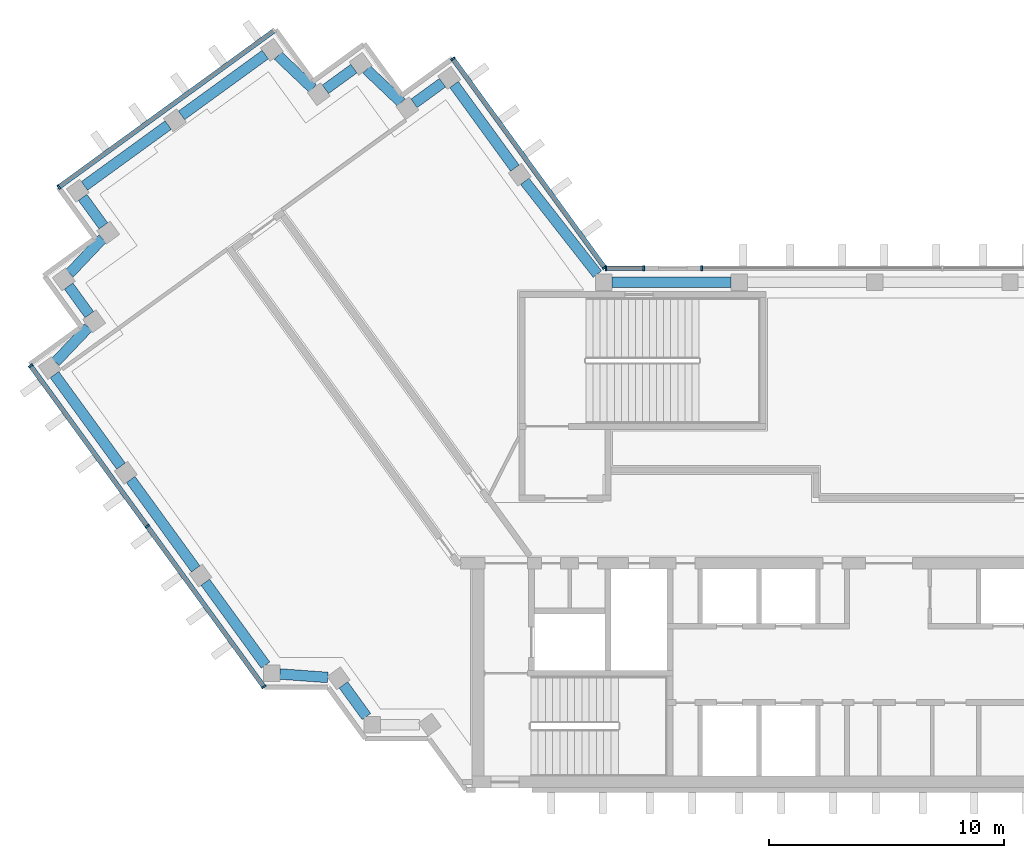
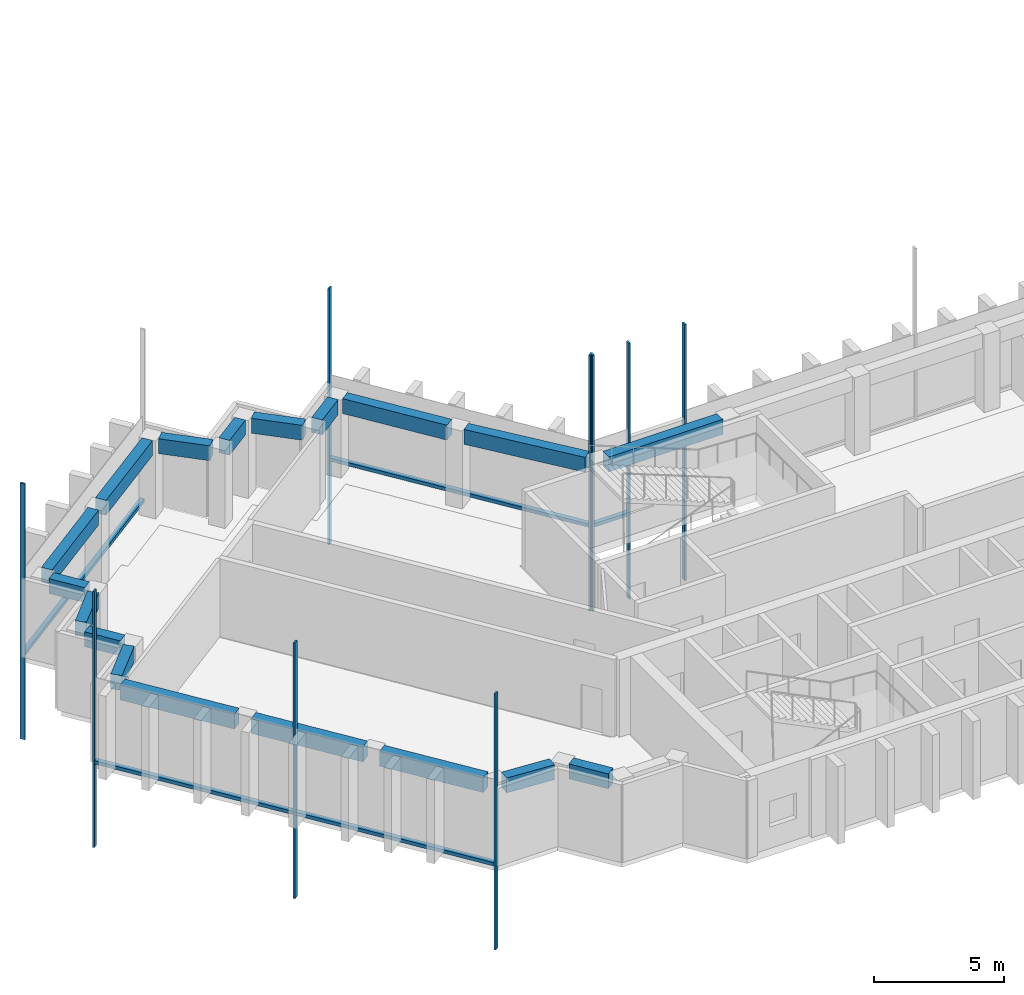
# One storey, part 2 of 13: 18 beams, 14 members, 5 elements without a shape of their own.
"""IFC4 building model written with IfcOpenShell, lengths in metres."""

from ifc_helpers import new_model, si_unit, direction, frame, origin, origin_2d, place, context, subcontext, project, spatial, rectangle, extrude, material, material_profile, profile_set, type_object, element, aggregate, save


model = new_model("IFC4")

# Units and contexts
model_context = context("Model", 3, precision=1e-05, world=origin(), true_north=direction((0.0, 1.0)))
body_context = subcontext(model_context, "Body", "Model", "MODEL_VIEW")
ifc_project = project(units=[si_unit("LENGTHUNIT", "METRE"), si_unit("AREAUNIT", "SQUARE_METRE"), si_unit("VOLUMEUNIT", "CUBIC_METRE"), si_unit("PLANEANGLEUNIT", "RADIAN"), si_unit("MASSUNIT", "GRAM", prefix="KILO")], contexts=[model_context])

# Site, building, storey
site_placement = place(None, origin())
site = spatial("IfcSite", under=ifc_project, at=site_placement, CompositionType="ELEMENT")
building_placement = place(site_placement, origin())
building = spatial("IfcBuilding", under=site, at=building_placement, Name="Quipu Civic Tower", CompositionType="ELEMENT")
storey_placement = place(building_placement, frame((0.0, 0.0, 347.0)))
storey = spatial("IfcBuildingStorey", under=building, at=storey_placement, Name="L81", CompositionType="ELEMENT", Elevation=347.0)

# Curtain wall, members
ifc_material_1 = material(Name="Insulated glass unit", Category="glass")
curtain_wall_type = type_object("IfcCurtainWallType", Name="Office curtain wall CW1", PredefinedType="NOTDEFINED", material=ifc_material_1)
curtain_wall_1_placement = place(storey_placement, origin())
curtain_wall_1 = element("IfcCurtainWall", 1, at=curtain_wall_1_placement, inside=storey, type_object=curtain_wall_type, Name="Office curtain wall CW1 L80 run 1", PredefinedType="NOTDEFINED")
ifc_material_2 = material(Name="Anodised aluminium", Category="aluminium")
ifc_material_profile_1 = material_profile(ifc_material_2, rectangle(XDim=0.199951171875, YDim=0.080078125, at=origin_2d()), Name="RECT 200x80")
ifc_profile_set_1 = profile_set([ifc_material_profile_1], Name="Anodised aluminium")
member_type_1 = type_object("IfcMemberType", Name="Mullion CW1", PredefinedType="MULLION", material=ifc_profile_set_1)
member_1_placement = place(storey_placement, frame((-14.36767578125, 11.13232421875, -3.919921875), z_axis=(0.0, 0.0, 1.0), x_axis=(-0.809015163947, -0.587787771652, 0.0)))
member_1 = element("IfcMember", 2, at=member_1_placement, type_object=member_type_1, Name="CW1 mullion 1", PredefinedType="MULLION", context=body_context, shape_type="SweptSolid", body=[
    extrude(rectangle(XDim=0.199951171875, YDim=0.080078125, at=origin_2d()), origin(), (0.0, 0.0, 1.0), 12.0),
])
member_2_placement = place(storey_placement, frame((-20.8125, 20.002685546875, -3.919921875), z_axis=(0.0, 0.0, 1.0), x_axis=(-0.809015163947, -0.587787771652, 0.0)))
member_2 = element("IfcMember", 3, at=member_2_placement, type_object=member_type_1, Name="CW1 mullion 2", PredefinedType="MULLION", context=body_context, shape_type="SweptSolid", body=[
    extrude(rectangle(XDim=0.199951171875, YDim=0.080078125, at=origin_2d()), origin(), (0.0, 0.0, 1.0), 12.0),
])

# Curtain wall, member
curtain_wall_2_placement = place(storey_placement, origin())
curtain_wall_2 = element("IfcCurtainWall", 4, at=curtain_wall_2_placement, inside=storey, type_object=curtain_wall_type, Name="Office curtain wall CW1 L80 run 6", PredefinedType="NOTDEFINED")
member_3_placement = place(storey_placement, frame((-37.569091796875, 14.552490234375, -3.919921875), z_axis=(0.0, 0.0, 1.0), x_axis=(0.587787753918, -0.809015176832, 0.0)))
member_3 = element("IfcMember", 5, at=member_3_placement, type_object=member_type_1, Name="CW1 mullion 2", PredefinedType="MULLION", context=body_context, shape_type="SweptSolid", body=[
    extrude(rectangle(XDim=0.199951171875, YDim=0.080078125, at=origin_2d()), origin(), (0.0, 0.0, 1.0), 12.0),
])

# Curtain wall, members
curtain_wall_3_placement = place(storey_placement, origin())
curtain_wall_3 = element("IfcCurtainWall", 6, at=curtain_wall_3_placement, inside=storey, type_object=curtain_wall_type, Name="Office curtain wall CW1 L80 run 11", PredefinedType="NOTDEFINED")
member_4_placement = place(storey_placement, frame((-38.772705078125, 6.953857421875, -3.919921875), z_axis=(0.0, 0.0, 1.0), x_axis=(0.809016278475, 0.587786237643, 0.0)))
member_4 = element("IfcMember", 7, at=member_4_placement, type_object=member_type_1, Name="CW1 mullion 1", PredefinedType="MULLION", context=body_context, shape_type="SweptSolid", body=[
    extrude(rectangle(XDim=0.199951171875, YDim=0.080078125, at=origin_2d()), origin(), (0.0, 0.0, 1.0), 12.0),
])
member_5_placement = place(storey_placement, frame((-33.81298828125, 0.12744140625, -3.919921875), z_axis=(0.0, 0.0, 1.0), x_axis=(0.809016278475, 0.587786237643, 0.0)))
member_5 = element("IfcMember", 8, at=member_5_placement, type_object=member_type_1, Name="CW1 mullion 2", PredefinedType="MULLION", context=body_context, shape_type="SweptSolid", body=[
    extrude(rectangle(XDim=0.199951171875, YDim=0.080078125, at=origin_2d()), origin(), (0.0, 0.0, 1.0), 12.0),
])
member_6_placement = place(storey_placement, frame((-28.853271484375, -6.698974609375, -3.919921875), z_axis=(0.0, 0.0, 1.0), x_axis=(0.809016278475, 0.587786237643, 0.0)))
member_6 = element("IfcMember", 9, at=member_6_placement, type_object=member_type_1, Name="CW1 mullion 3", PredefinedType="MULLION", context=body_context, shape_type="SweptSolid", body=[
    extrude(rectangle(XDim=0.199951171875, YDim=0.080078125, at=origin_2d()), origin(), (0.0, 0.0, 1.0), 12.0),
])

# Curtain wall, member
curtain_wall_4_placement = place(storey_placement, origin())
curtain_wall_4 = element("IfcCurtainWall", 10, at=curtain_wall_4_placement, inside=storey, type_object=curtain_wall_type, Name="Office curtain wall CW1 L80 run 29", PredefinedType="NOTDEFINED")
member_7_placement = place(storey_placement, frame((-10.223388671875, 11.10009765625, -3.919921875), z_axis=(0.0, 0.0, 1.0), x_axis=(0.0, -1.0, 0.0)))
member_7 = element("IfcMember", 11, at=member_7_placement, type_object=member_type_1, Name="CW1 mullion 3", PredefinedType="MULLION", context=body_context, shape_type="SweptSolid", body=[
    extrude(rectangle(XDim=0.199951171875, YDim=0.080078125, at=origin_2d()), origin(), (0.0, 0.0, 1.0), 12.0),
])
aggregate(curtain_wall_4, [member_7])

# Curtain wall, members
curtain_wall_5_placement = place(storey_placement, origin())
curtain_wall_5 = element("IfcCurtainWall", 12, at=curtain_wall_5_placement, inside=storey, type_object=curtain_wall_type, Name="Office curtain wall CW1 L80 run 31", PredefinedType="NOTDEFINED")
member_8_placement = place(storey_placement, frame((-12.695068359375, 11.10009765625, -3.919921875), z_axis=(0.0, 0.0, 1.0), x_axis=(0.0, -1.0, 0.0)))
member_8 = element("IfcMember", 13, at=member_8_placement, type_object=member_type_1, Name="CW1 mullion 1", PredefinedType="MULLION", context=body_context, shape_type="SweptSolid", body=[
    extrude(rectangle(XDim=0.199951171875, YDim=0.080078125, at=origin_2d()), origin(), (0.0, 0.0, 1.0), 12.0),
])
member_9_placement = place(storey_placement, frame((-14.30419921875, 11.10009765625, -3.919921875), z_axis=(0.0, 0.0, 1.0), x_axis=(0.0, -1.0, 0.0)))
member_9 = element("IfcMember", 14, at=member_9_placement, type_object=member_type_1, Name="CW1 mullion 2", PredefinedType="MULLION", context=body_context, shape_type="SweptSolid", body=[
    extrude(rectangle(XDim=0.199951171875, YDim=0.080078125, at=origin_2d()), origin(), (0.0, 0.0, 1.0), 12.0),
])

# Beams
ifc_material_3 = material(Name="Concrete C50/60", Category="concrete")
ifc_material_profile_2 = material_profile(ifc_material_3, rectangle(XDim=0.449951171875, YDim=0.699951171875, at=origin_2d()), Name="RC450x700")
ifc_profile_set_2 = profile_set([ifc_material_profile_2], Name="Concrete C50/60")
beam_type = type_object("IfcBeamType", Name="Spandrel beam RC 450x700 C50/60", PredefinedType="SPANDREL", material=ifc_profile_set_2)
beam_1_placement = place(storey_placement, frame((-18.179443359375, 15.358154296875, 3.300048828125), z_axis=(-0.588201428764, 0.808714460857, 0.0), x_axis=(-0.808714460857, -0.588201428764, 0.0)))
element("IfcBeam", 15, at=beam_1_placement, inside=storey, type_object=beam_type, Name="Spandrel beam L81 W-IN-01 to T-Wi.0-W22", PredefinedType="SPANDREL", context=body_context, shape_type="SweptSolid", body=[
    extrude(rectangle(XDim=0.449951171875, YDim=0.699951171875, at=origin_2d()), origin(), (0.0, 0.0, 1.0), 4.394287109375),
])
beam_2_placement = place(storey_placement, frame((-21.25341796875, 18.989501953125, 3.300048828125), z_axis=(-0.809461336076, -0.587173181776, 0.0), x_axis=(0.587173181776, -0.809461336076, 0.0)))
element("IfcBeam", 16, at=beam_2_placement, inside=storey, type_object=beam_type, Name="Spandrel beam L81 T-Wi.0-W22 to T-Wi.1-W22", PredefinedType="SPANDREL", context=body_context, shape_type="SweptSolid", body=[
    extrude(rectangle(XDim=0.449951171875, YDim=0.699951171875, at=origin_2d()), origin(), (0.0, 0.0, 1.0), 1.498046875),
])
beam_3_placement = place(storey_placement, frame((-23.00732421875, 18.1494140625, 3.300048828125), z_axis=(-0.72511931772, 0.6886232461, 0.0), x_axis=(-0.6886232461, -0.72511931772, 0.0)))
element("IfcBeam", 17, at=beam_3_placement, inside=storey, type_object=beam_type, Name="Spandrel beam L81 T-Wi.1-W22 to T-Wi.2-W22", PredefinedType="SPANDREL", context=body_context, shape_type="SweptSolid", body=[
    extrude(rectangle(XDim=0.449951171875, YDim=0.699951171875, at=origin_2d()), origin(), (0.0, 0.0, 1.0), 2.03369140625),
])
beam_4_placement = place(storey_placement, frame((-25.02294921875, 19.589111328125, 3.300048828125), z_axis=(-0.808644589435, -0.588297482553, 0.0), x_axis=(0.588297482553, -0.808644589435, 0.0)))
element("IfcBeam", 18, at=beam_4_placement, inside=storey, type_object=beam_type, Name="Spandrel beam L81 T-Wi.2-W22 to T-Wi.3-W22", PredefinedType="SPANDREL", context=body_context, shape_type="SweptSolid", body=[
    extrude(rectangle(XDim=0.449951171875, YDim=0.699951171875, at=origin_2d()), origin(), (0.0, 0.0, 1.0), 1.500244140625),
])
beam_5_placement = place(storey_placement, frame((-26.777099609375, 18.74560546875, 3.300048828125), z_axis=(-0.725359138958, 0.688370626574, 0.0), x_axis=(-0.688370626574, -0.725359138958, 0.0)))
element("IfcBeam", 19, at=beam_5_placement, inside=storey, type_object=beam_type, Name="Spandrel beam L81 T-Wi.3-W22 to T-Wi.4-W22", PredefinedType="SPANDREL", context=body_context, shape_type="SweptSolid", body=[
    extrude(rectangle(XDim=0.449951171875, YDim=0.699951171875, at=origin_2d()), origin(), (0.0, 0.0, 1.0), 2.032958984375),
])
beam_6_placement = place(storey_placement, frame((-28.793212890625, 20.184326171875, 3.300048828125), z_axis=(-0.809146152767, -0.587607439931, 0.0), x_axis=(0.587607439931, -0.809146152767, 0.0)))
element("IfcBeam", 20, at=beam_6_placement, inside=storey, type_object=beam_type, Name="Spandrel beam L81 T-Wi.4-W22 to TIP-W-01-W22", PredefinedType="SPANDREL", context=body_context, shape_type="SweptSolid", body=[
    extrude(rectangle(XDim=0.449951171875, YDim=0.699951171875, at=origin_2d()), origin(), (0.0, 0.0, 1.0), 4.400390625),
])
beam_7_placement = place(storey_placement, frame((-32.920166015625, 17.187255859375, 3.300048828125), z_axis=(-0.809117270763, -0.587647208921, 0.0), x_axis=(0.587647208921, -0.809117270763, 0.0)))
element("IfcBeam", 21, at=beam_7_placement, inside=storey, type_object=beam_type, Name="Spandrel beam L81 TIP-W-01-W22 to T-Wo.0-W22", PredefinedType="SPANDREL", context=body_context, shape_type="SweptSolid", body=[
    extrude(rectangle(XDim=0.449951171875, YDim=0.699951171875, at=origin_2d()), origin(), (0.0, 0.0, 1.0), 4.40185546875),
])
beam_8_placement = place(storey_placement, frame((-36.55908203125, 14.112060546875, 3.300048828125), z_axis=(0.588345920092, -0.808609348394, 0.0), x_axis=(0.808609348394, 0.588345920092, 0.0)))
element("IfcBeam", 22, at=beam_8_placement, inside=storey, type_object=beam_type, Name="Spandrel beam L81 T-Wo.0-W22 to T-Wo.1-W22", PredefinedType="SPANDREL", context=body_context, shape_type="SweptSolid", body=[
    extrude(rectangle(XDim=0.449951171875, YDim=0.699951171875, at=origin_2d()), origin(), (0.0, 0.0, 1.0), 1.499755859375),
])
beam_9_placement = place(storey_placement, frame((-35.7158203125, 12.358154296875, 3.300048828125), z_axis=(-0.688247466856, -0.725475998477, 0.0), x_axis=(0.725475998477, -0.688247466856, 0.0)))
element("IfcBeam", 23, at=beam_9_placement, inside=storey, type_object=beam_type, Name="Spandrel beam L81 T-Wo.1-W22 to T-Wo.2-W22", PredefinedType="SPANDREL", context=body_context, shape_type="SweptSolid", body=[
    extrude(rectangle(XDim=0.449951171875, YDim=0.699951171875, at=origin_2d()), origin(), (0.0, 0.0, 1.0), 2.032958984375),
])
beam_10_placement = place(storey_placement, frame((-37.154541015625, 10.341796875, 3.300048828125), z_axis=(0.587164895097, -0.809467347066, 0.0), x_axis=(0.809467347066, 0.587164895097, 0.0)))
element("IfcBeam", 24, at=beam_10_placement, inside=storey, type_object=beam_type, Name="Spandrel beam L81 T-Wo.2-W22 to T-Wo.3-W22", PredefinedType="SPANDREL", context=body_context, shape_type="SweptSolid", body=[
    extrude(rectangle(XDim=0.449951171875, YDim=0.699951171875, at=origin_2d()), origin(), (0.0, 0.0, 1.0), 1.500244140625),
])
beam_11_placement = place(storey_placement, frame((-36.3134765625, 8.586181640625, 3.300048828125), z_axis=(-0.689175330605, -0.724594620244, 0.0), x_axis=(0.724594620244, -0.689175330605, 0.0)))
element("IfcBeam", 25, at=beam_11_placement, inside=storey, type_object=beam_type, Name="Spandrel beam L81 T-Wo.3-W22 to T-Wo.4-W22", PredefinedType="SPANDREL", context=body_context, shape_type="SweptSolid", body=[
    extrude(rectangle(XDim=0.449951171875, YDim=0.699951171875, at=origin_2d()), origin(), (0.0, 0.0, 1.0), 2.033447265625),
])
beam_12_placement = place(storey_placement, frame((-37.754150390625, 6.57177734375, 3.300048828125), z_axis=(0.587905928359, -0.808929304328, 0.0), x_axis=(0.808929304328, 0.587905928359, 0.0)))
element("IfcBeam", 26, at=beam_12_placement, inside=storey, type_object=beam_type, Name="Spandrel beam L81 T-Wo.4-W22 to W-OUT-02", PredefinedType="SPANDREL", context=body_context, shape_type="SweptSolid", body=[
    extrude(rectangle(XDim=0.449951171875, YDim=0.699951171875, at=origin_2d()), origin(), (0.0, 0.0, 1.0), 4.80712890625),
])
beam_13_placement = place(storey_placement, frame((-34.5166015625, 2.116943359375, 3.300048828125), z_axis=(0.587788656305, -0.809014521204, 0.0), x_axis=(0.809014521204, 0.587788656305, 0.0)))
element("IfcBeam", 27, at=beam_13_placement, inside=storey, type_object=beam_type, Name="Spandrel beam L81 W-OUT-02 to W-OUT-01", PredefinedType="SPANDREL", context=body_context, shape_type="SweptSolid", body=[
    extrude(rectangle(XDim=0.449951171875, YDim=0.699951171875, at=origin_2d()), origin(), (0.0, 0.0, 1.0), 4.7001953125),
])
beam_14_placement = place(storey_placement, frame((-31.342529296875, -2.251953125, 3.300048828125), z_axis=(0.58777550284, -0.809024077677, 0.0), x_axis=(0.809024077677, 0.58777550284, 0.0)))
element("IfcBeam", 28, at=beam_14_placement, inside=storey, type_object=beam_type, Name="Spandrel beam L81 W-OUT-01 to J-Wo.0", PredefinedType="SPANDREL", context=body_context, shape_type="SweptSolid", body=[
    extrude(rectangle(XDim=0.449951171875, YDim=0.699951171875, at=origin_2d()), origin(), (0.0, 0.0, 1.0), 4.36083984375),
])
beam_15_placement = place(storey_placement, frame((-28.175048828125, -6.155517578125, 3.300048828125), z_axis=(0.99737333325, -0.072432272649, 0.0), x_axis=(0.072432272649, 0.99737333325, 0.0)))
element("IfcBeam", 29, at=beam_15_placement, inside=storey, type_object=beam_type, Name="Spandrel beam L81 J-Wo.0 to J-Wo.1", PredefinedType="SPANDREL", context=body_context, shape_type="SweptSolid", body=[
    extrude(rectangle(XDim=0.449951171875, YDim=0.699951171875, at=origin_2d()), origin(), (0.0, 0.0, 1.0), 2.04931640625),
])
beam_16_placement = place(storey_placement, frame((-25.468505859375, -6.6201171875, 3.300048828125), z_axis=(0.588407300614, -0.80856468423, 0.0), x_axis=(0.80856468423, 0.588407300614, 0.0)))
element("IfcBeam", 30, at=beam_16_placement, inside=storey, type_object=beam_type, Name="Spandrel beam L81 J-Wo.1 to J-Wo.2", PredefinedType="SPANDREL", context=body_context, shape_type="SweptSolid", body=[
    extrude(rectangle(XDim=0.449951171875, YDim=0.699951171875, at=origin_2d()), origin(), (0.0, 0.0, 1.0), 1.663330078125),
])
beam_17_placement = place(storey_placement, frame((-8.987060546875, 10.5, 3.300048828125), z_axis=(-1.0, 0.0, 0.0), x_axis=(0.0, -1.0, 0.0)))
element("IfcBeam", 31, at=beam_17_placement, inside=storey, type_object=beam_type, Name="Spandrel beam L81 FRONT-04 to J-Wi.0", PredefinedType="SPANDREL", context=body_context, shape_type="SweptSolid", body=[
    extrude(rectangle(XDim=0.449951171875, YDim=0.699951171875, at=origin_2d()), origin(), (0.0, 0.0, 1.0), 5.05810546875),
])
beam_18_placement = place(storey_placement, frame((-14.6689453125, 10.85009765625, 3.300048828125), z_axis=(-0.616106034519, 0.787663223865, 0.0), x_axis=(-0.787663223865, -0.616106034519, 0.0)))
element("IfcBeam", 32, at=beam_18_placement, inside=storey, type_object=beam_type, Name="Spandrel beam L81 J-Wi.0 to W-IN-01", PredefinedType="SPANDREL", context=body_context, shape_type="SweptSolid", body=[
    extrude(rectangle(XDim=0.449951171875, YDim=0.699951171875, at=origin_2d()), origin(), (0.0, 0.0, 1.0), 5.013427734375),
])

# Member
ifc_material_4 = material(Name="Anodised aluminium", Category="aluminium")
ifc_material_profile_3 = material_profile(ifc_material_4, rectangle(XDim=0.199951171875, YDim=0.159912109375, at=origin_2d()), Name="RECT 200x160")
ifc_profile_set_3 = profile_set([ifc_material_profile_3], Name="Anodised aluminium")
member_type_2 = type_object("IfcMemberType", Name="Transom CW1", PredefinedType="USERDEFINED", material=ifc_profile_set_3)
member_10_placement = place(storey_placement, frame((-14.39111328125, 11.164794921875, 0.080078125), z_axis=(-0.587796859727, 0.809008560953, 0.0), x_axis=(-0.809008560953, -0.587796859727, 0.0)))
member_10 = element("IfcMember", 33, at=member_10_placement, type_object=member_type_2, Name="CW1 transom 1.2", ObjectType="TRANSOM", PredefinedType="USERDEFINED", context=body_context, shape_type="SweptSolid", body=[
    extrude(rectangle(XDim=0.199951171875, YDim=0.159912109375, at=origin_2d()), origin(), (0.0, 0.0, 1.0), 10.88427734375),
])

aggregate(curtain_wall_1, [member_1, member_2, member_10])

member_11_placement = place(storey_placement, frame((-28.443359375, 21.1826171875, 0.080078125), z_axis=(-0.809022463805, -0.587777724194, 0.0), x_axis=(0.587777724194, -0.809022463805, 0.0)))
member_11 = element("IfcMember", 34, at=member_11_placement, type_object=member_type_2, Name="CW1 transom 1.2", ObjectType="TRANSOM", PredefinedType="USERDEFINED", context=body_context, shape_type="SweptSolid", body=[
    extrude(rectangle(XDim=0.199951171875, YDim=0.159912109375, at=origin_2d()), origin(), (0.0, 0.0, 1.0), 11.240234375),
])

aggregate(curtain_wall_2, [member_3, member_11])

member_12_placement = place(storey_placement, frame((-38.7490234375, 6.92138671875, 0.080078125), z_axis=(0.587779098815, -0.809021465102, 0.0), x_axis=(0.809021465102, 0.587779098815, 0.0)))
member_12 = element("IfcMember", 35, at=member_12_placement, type_object=member_type_2, Name="CW1 transom 1.2", ObjectType="TRANSOM", PredefinedType="USERDEFINED", context=body_context, shape_type="SweptSolid", body=[
    extrude(rectangle(XDim=0.199951171875, YDim=0.159912109375, at=origin_2d()), origin(), (0.0, 0.0, 1.0), 8.35791015625),
])

member_13_placement = place(storey_placement, frame((-33.78955078125, 0.094970703125, 0.080078125), z_axis=(0.587812107925, -0.808997481935, 0.0), x_axis=(0.808997481935, 0.587812107925, 0.0)))
member_13 = element("IfcMember", 36, at=member_13_placement, type_object=member_type_2, Name="CW1 transom 2.2", ObjectType="TRANSOM", PredefinedType="USERDEFINED", context=body_context, shape_type="SweptSolid", body=[
    extrude(rectangle(XDim=0.199951171875, YDim=0.159912109375, at=origin_2d()), origin(), (0.0, 0.0, 1.0), 8.35791015625),
])

aggregate(curtain_wall_3, [member_4, member_5, member_6, member_12, member_13])

member_14_placement = place(storey_placement, frame((-12.735107421875, 11.10009765625, 0.080078125), z_axis=(-1.0, 0.0, 0.0), x_axis=(0.0, -1.0, 0.0)))
member_14 = element("IfcMember", 37, at=member_14_placement, type_object=member_type_2, Name="CW1 transom 1.2", ObjectType="TRANSOM", PredefinedType="USERDEFINED", context=body_context, shape_type="SweptSolid", body=[
    extrude(rectangle(XDim=0.199951171875, YDim=0.159912109375, at=origin_2d()), origin(), (0.0, 0.0, 1.0), 1.529052734375),
])

aggregate(curtain_wall_5, [member_8, member_9, member_14])

save(model, "model.ifc")
